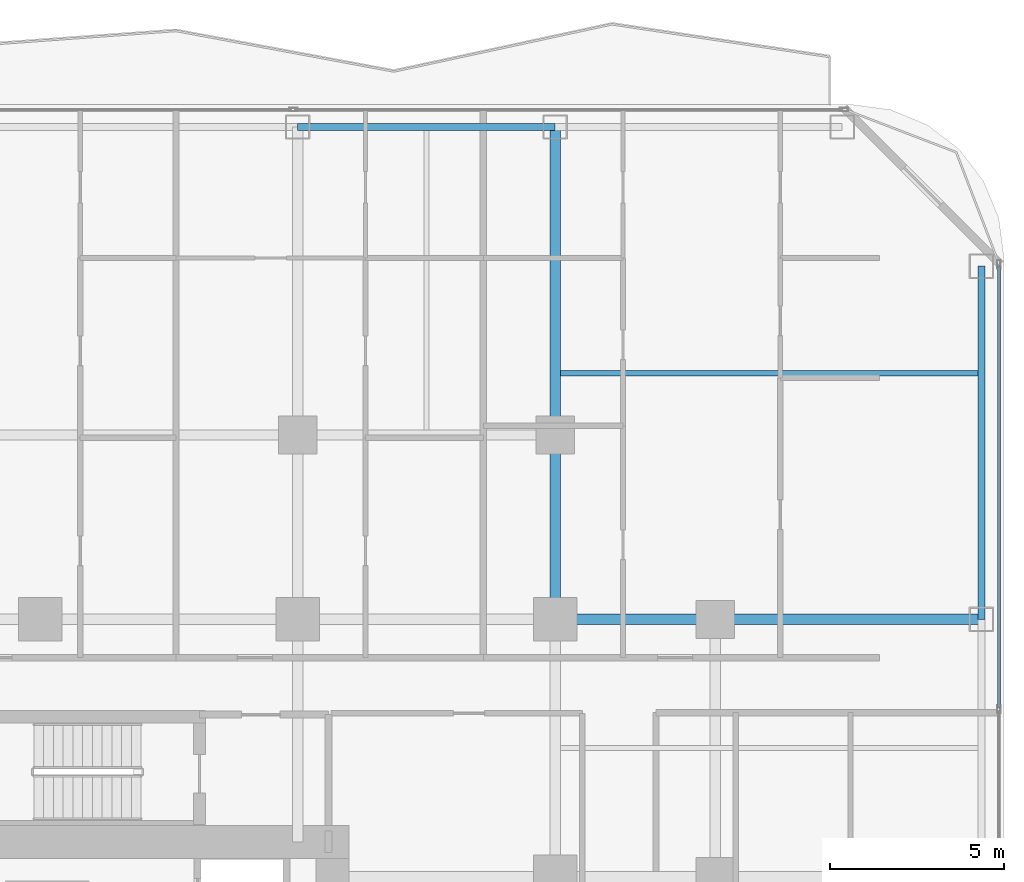
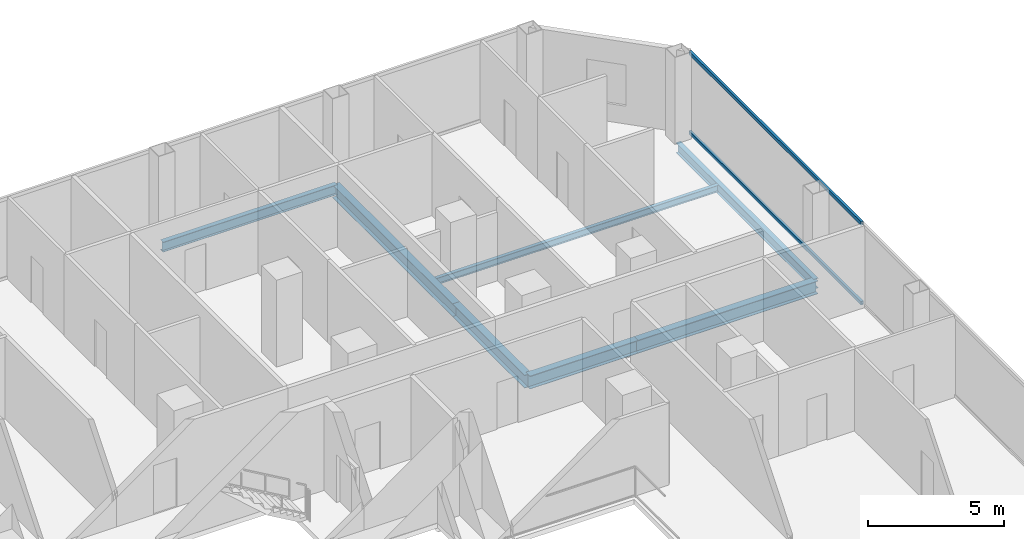
# One storey, part 16 of 26: 7 beams, 2 members, 1 element without a shape of its own.
"""IFC4 building model written with IfcOpenShell, lengths in metres."""

from ifc_helpers import new_model, si_unit, direction, frame, origin, origin_2d, place, context, subcontext, project, spatial, hollow_rectangle, i_section, extrude, material, layer, layer_set, material_profile, profile_set, type_object, element, aggregate, save


model = new_model("IFC4")

# Units and contexts
model_context = context("Model", 3, precision=1e-05, world=origin(), true_north=direction((0.0, 1.0)))
body_context = subcontext(model_context, "Body", "Model", "MODEL_VIEW")
ifc_project = project(units=[si_unit("LENGTHUNIT", "METRE"), si_unit("AREAUNIT", "SQUARE_METRE"), si_unit("VOLUMEUNIT", "CUBIC_METRE"), si_unit("PLANEANGLEUNIT", "RADIAN"), si_unit("MASSUNIT", "GRAM", prefix="KILO")], contexts=[model_context])

# Site, building, storey
site_placement = place(None, origin())
site = spatial("IfcSite", under=ifc_project, at=site_placement, CompositionType="ELEMENT")
building_placement = place(site_placement, origin())
building = spatial("IfcBuilding", under=site, at=building_placement, Name="Khorvyn Point Tower", CompositionType="ELEMENT")
storey_placement = place(building_placement, frame((0.0, 0.0, 113.39990234375)))
storey = spatial("IfcBuildingStorey", under=building, at=storey_placement, Name="L28", CompositionType="ELEMENT", Elevation=113.39990234375)

# Curtain wall, members
ifc_material_1 = material(Name="Anodised aluminium 6063-T6 and laminated Low-E glass", Category="aluminium")
ifc_layer = layer(ifc_material_1, 0.18994140625)
ifc_layer_set = layer_set([ifc_layer], Name="Stick-Built Acoustic Curtain Wall CW-SYS-03")
curtain_wall_type = type_object("IfcCurtainWallType", Name="Stick-Built Acoustic Curtain Wall CW-SYS-03", PredefinedType="NOTDEFINED", material=ifc_layer_set)
curtain_wall_placement = place(storey_placement, origin())
curtain_wall = element("IfcCurtainWall", 1, at=curtain_wall_placement, inside=storey, type_object=curtain_wall_type, Name="Curtain Wall", PredefinedType="NOTDEFINED")
ifc_material_2 = material(Name="Anodised aluminium 6063-T6", Category="aluminium")
ifc_material_profile_1 = material_profile(ifc_material_2, hollow_rectangle(XDim=0.10009765625, YDim=0.159912109375, WallThickness=0.00439453125, at=origin_2d()))
ifc_profile_set_1 = profile_set([ifc_material_profile_1], Name="Anodised aluminium 6063-T6 ALU-TRN-100x160")
member_type = type_object("IfcMemberType", Name="Anodised Aluminium 6063-T6 Transom ALU-TRN-100x160", PredefinedType="USERDEFINED", material=ifc_profile_set_1)
member_1_placement = place(storey_placement, frame((27.550048828125, 24.949951171875, 0.050048828125), z_axis=(0.0, -1.0, 0.0), x_axis=(1.0, 0.0, 0.0)))
member_1 = element("IfcMember", 2, at=member_1_placement, type_object=member_type, Name="Transom", ObjectType="TRANSOM", PredefinedType="USERDEFINED", context=body_context, shape_type="SweptSolid", body=[
    extrude(hollow_rectangle(XDim=0.10009765625, YDim=0.159912109375, WallThickness=0.00439453125, at=origin_2d()), origin(), (0.0, 0.0, 1.0), 12.683349609375),
])
member_2_placement = place(storey_placement, frame((27.550048828125, 24.949951171875, 3.630126953125), z_axis=(0.0, -1.0, 0.0), x_axis=(1.0, 0.0, 0.0)))
member_2 = element("IfcMember", 3, at=member_2_placement, type_object=member_type, Name="Transom", ObjectType="TRANSOM", PredefinedType="USERDEFINED", context=body_context, shape_type="SweptSolid", body=[
    extrude(hollow_rectangle(XDim=0.10009765625, YDim=0.159912109375, WallThickness=0.00439453125, at=origin_2d()), origin(), (0.0, 0.0, 1.0), 12.683349609375),
])
aggregate(curtain_wall, [member_1, member_2])

# Beams
ifc_material_3 = material(Name="Steel S355", Category="steel")
ifc_material_profile_2 = material_profile(ifc_material_3, i_section(OverallWidth=0.300048828125, OverallDepth=0.587890625, WebThickness=0.011962890625, FlangeThickness=0.02001953125, at=origin_2d()))
ifc_profile_set_2 = profile_set([ifc_material_profile_2], Name="Steel S355 H588x300x12x20")
beam_type_1 = type_object("IfcBeamType", Name="Steel S355 Beam H588x300x12x20", PredefinedType="BEAM", material=ifc_profile_set_2)
beam_1_placement = place(storey_placement, frame((14.800048828125, 14.800048828125, -0.513916015625), z_axis=(1.0, 0.0, 0.0), x_axis=(0.0, 1.0, 0.0)))
element("IfcBeam", 4, at=beam_1_placement, inside=storey, type_object=beam_type_1, Name="Beam", PredefinedType="BEAM", context=body_context, shape_type="SweptSolid", body=[
    extrude(i_section(OverallWidth=0.300048828125, OverallDepth=0.587890625, WebThickness=0.011962890625, FlangeThickness=0.02001953125, at=origin_2d()), origin(), (0.0, 0.0, 1.0), 4.599853515625),
])
beam_2_placement = place(storey_placement, frame((19.39990234375, 14.800048828125, -0.513916015625), z_axis=(1.0, 0.0, 0.0), x_axis=(0.0, 1.0, 0.0)))
element("IfcBeam", 5, at=beam_2_placement, inside=storey, type_object=beam_type_1, Name="Beam", PredefinedType="BEAM", context=body_context, shape_type="SweptSolid", body=[
    extrude(i_section(OverallWidth=0.300048828125, OverallDepth=0.587890625, WebThickness=0.011962890625, FlangeThickness=0.02001953125, at=origin_2d()), origin(), (0.0, 0.0, 1.0), 7.650146484375),
])
beam_3_placement = place(storey_placement, frame((14.800048828125, 14.800048828125, -0.513916015625), z_axis=(0.0, 1.0, 0.0), x_axis=(-1.0, 0.0, 0.0)))
element("IfcBeam", 6, at=beam_3_placement, inside=storey, type_object=beam_type_1, Name="Beam", PredefinedType="BEAM", context=body_context, shape_type="SweptSolid", body=[
    extrude(i_section(OverallWidth=0.300048828125, OverallDepth=0.587890625, WebThickness=0.011962890625, FlangeThickness=0.02001953125, at=origin_2d()), origin(), (0.0, 0.0, 1.0), 5.300048828125),
])
beam_4_placement = place(storey_placement, frame((14.800048828125, 20.10009765625, -0.513916015625), z_axis=(0.0, 1.0, 0.0), x_axis=(-1.0, 0.0, 0.0)))
element("IfcBeam", 7, at=beam_4_placement, inside=storey, type_object=beam_type_1, Name="Beam", PredefinedType="BEAM", context=body_context, shape_type="SweptSolid", body=[
    extrude(i_section(OverallWidth=0.300048828125, OverallDepth=0.587890625, WebThickness=0.011962890625, FlangeThickness=0.02001953125, at=origin_2d()), origin(), (0.0, 0.0, 1.0), 8.849853515625),
])
ifc_material_profile_3 = material_profile(ifc_material_3, i_section(OverallWidth=0.14990234375, OverallDepth=0.300048828125, WebThickness=0.006591796875, FlangeThickness=0.009033203125, at=origin_2d()))
ifc_profile_set_3 = profile_set([ifc_material_profile_3], Name="Steel S355 H300x150x6.5x9")
beam_type_2 = type_object("IfcBeamType", Name="Steel S355 Joist H300x150x6.5x9", PredefinedType="JOIST", material=ifc_profile_set_3)
beam_5_placement = place(storey_placement, frame((14.949951171875, 21.875, -0.369873046875), z_axis=(1.0, 0.0, 0.0), x_axis=(0.0, 1.0, 0.0)))
element("IfcBeam", 8, at=beam_5_placement, inside=storey, type_object=beam_type_2, Name="Beam", PredefinedType="JOIST", context=body_context, shape_type="SweptSolid", body=[
    extrude(i_section(OverallWidth=0.14990234375, OverallDepth=0.300048828125, WebThickness=0.006591796875, FlangeThickness=0.009033203125, at=origin_2d()), origin(), (0.0, 0.0, 1.0), 12.0),
])
ifc_material_profile_4 = material_profile(ifc_material_3, i_section(OverallWidth=0.199951171875, OverallDepth=0.449951171875, WebThickness=0.009033203125, FlangeThickness=0.013916015625, at=origin_2d()))
ifc_profile_set_4 = profile_set([ifc_material_profile_4], Name="Steel S355 H450x200x9x14")
beam_type_3 = type_object("IfcBeamType", Name="Steel S355 Spandrel H450x200x9x14", PredefinedType="SPANDREL", material=ifc_profile_set_4)
beam_6_placement = place(storey_placement, frame((7.39990234375, 28.949951171875, -0.44482421875), z_axis=(1.0, 0.0, 0.0), x_axis=(0.0, 1.0, 0.0)))
element("IfcBeam", 9, at=beam_6_placement, inside=storey, type_object=beam_type_3, Name="Beam", PredefinedType="SPANDREL", context=body_context, shape_type="SweptSolid", body=[
    extrude(i_section(OverallWidth=0.199951171875, OverallDepth=0.449951171875, WebThickness=0.009033203125, FlangeThickness=0.013916015625, at=origin_2d()), origin(), (0.0, 0.0, 1.0), 7.400146484375),
])
beam_7_placement = place(storey_placement, frame((27.050048828125, 14.800048828125, -0.44482421875), z_axis=(0.0, 1.0, 0.0), x_axis=(-1.0, 0.0, 0.0)))
element("IfcBeam", 10, at=beam_7_placement, inside=storey, type_object=beam_type_3, Name="Beam", PredefinedType="SPANDREL", context=body_context, shape_type="SweptSolid", body=[
    extrude(i_section(OverallWidth=0.199951171875, OverallDepth=0.449951171875, WebThickness=0.009033203125, FlangeThickness=0.013916015625, at=origin_2d()), origin(), (0.0, 0.0, 1.0), 10.14990234375),
])

save(model, "model.ifc")
